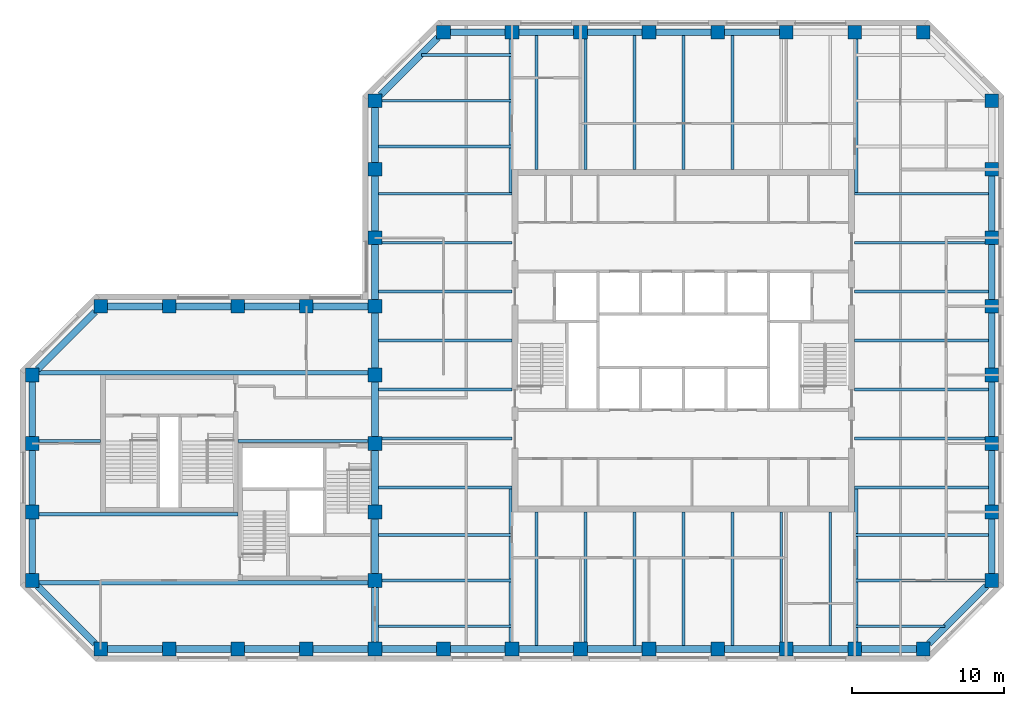
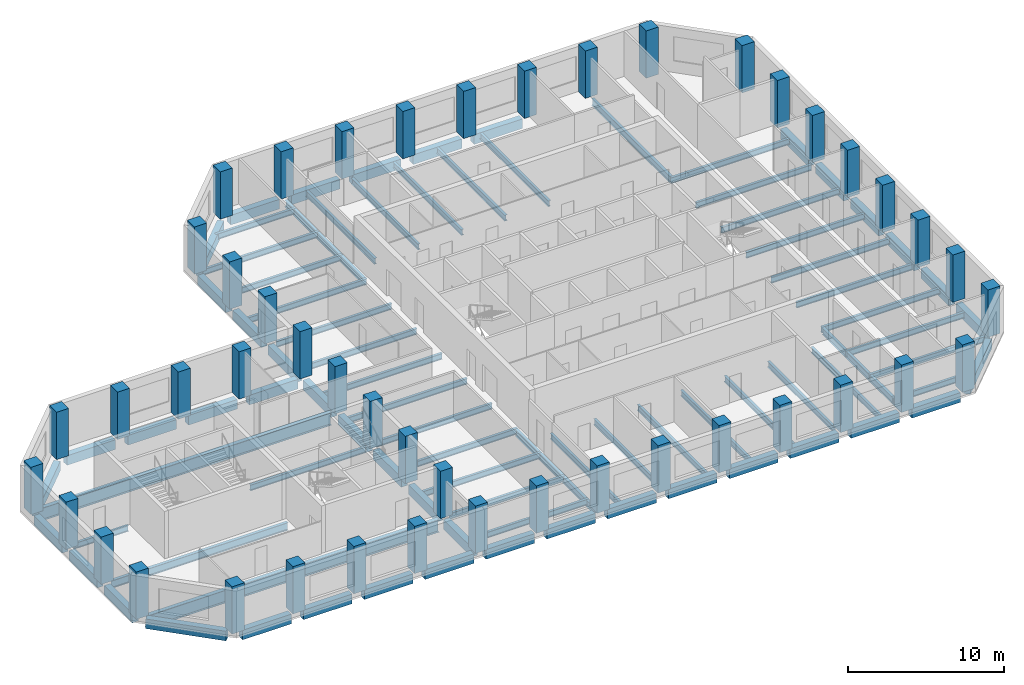
# One storey, part 1 of 9: 86 beams, 45 columns.
"""IFC4 building model written with IfcOpenShell, lengths in metres."""

from ifc_helpers import new_model, si_unit, direction, frame, origin, origin_2d, place, context, subcontext, project, spatial, rectangle, i_section, extrude, material, material_profile, profile_set, type_object, element, save


model = new_model("IFC4")

# Units and contexts
model_context = context("Model", 3, precision=1e-05, world=origin(), true_north=direction((0.0, 1.0)))
body_context = subcontext(model_context, "Body", "Model", "MODEL_VIEW")
ifc_project = project(units=[si_unit("LENGTHUNIT", "METRE"), si_unit("AREAUNIT", "SQUARE_METRE"), si_unit("VOLUMEUNIT", "CUBIC_METRE"), si_unit("PLANEANGLEUNIT", "RADIAN"), si_unit("MASSUNIT", "GRAM", prefix="KILO")], contexts=[model_context])

# Site, building, storey
site_placement = place(None, origin())
site = spatial("IfcSite", under=ifc_project, at=site_placement, CompositionType="ELEMENT")
building_placement = place(site_placement, origin())
building = spatial("IfcBuilding", under=site, at=building_placement, Name="Quoin Convention Tower", CompositionType="ELEMENT")
storey_placement = place(building_placement, frame((0.0, 0.0, 177.300048828125)))
storey = spatial("IfcBuildingStorey", under=building, at=storey_placement, Name="L46", CompositionType="ELEMENT", Elevation=177.300048828125)

# Columns
ifc_material_1 = material(Name="Concrete C50", Category="concrete")
ifc_material_profile_1 = material_profile(ifc_material_1, rectangle(XDim=0.89990234375, YDim=0.89990234375, at=origin_2d()), Name="RC 900x900")
ifc_profile_set_1 = profile_set([ifc_material_profile_1], Name="Concrete C50")
column_type = type_object("IfcColumnType", Name="RC 900x900 C50", PredefinedType="COLUMN", material=ifc_profile_set_1)
for number, where, z_axis, x_axis, name in (
    (1, (18.0, 40.5, 0.0), (0.0, 0.0, 1.0), (1.0, 0.0, 0.0), "col-L46-18000_40500"),
    (2, (22.5, 40.5, 0.0), (0.0, 0.0, 1.0), (1.0, 0.0, 0.0), "col-L46-22500_40500"),
    (3, (27.0, 40.5, 0.0), (0.0, 0.0, 1.0), (1.0, 0.0, 0.0), "col-L46-27000_40500"),
    (4, (31.5, 40.5, 0.0), (0.0, 0.0, 1.0), (1.0, 0.0, 0.0), "col-L46-31500_40500"),
    (5, (36.0, 40.5, 0.0), (0.0, 0.0, 1.0), (1.0, 0.0, 0.0), "col-L46-36000_40500"),
    (6, (40.5, 40.5, 0.0), (0.0, 0.0, 1.0), (1.0, 0.0, 0.0), "col-L46-40500_40500"),
    (7, (45.0, 40.5, 0.0), (0.0, 0.0, 1.0), (1.0, 0.0, 0.0), "col-L46-45000_40500"),
    (8, (49.5, 40.5, 0.0), (0.0, 0.0, 1.0), (1.0, 0.0, 0.0), "col-L46-49500_40500"),
    (9, (54.0, 40.5, 0.0), (0.0, 0.0, 1.0), (1.0, 0.0, 0.0), "col-L46-54000_40500"),
    (10, (58.5, 40.5, 0.0), (0.0, 0.0, 1.0), (1.0, 0.0, 0.0), "col-L46-58500_40500"),
    (11, (63.0, 40.5, 0.0), (0.0, 0.0, 1.0), (1.0, 0.0, 0.0), "col-L46-63000_40500"),
    (12, (67.5, 40.5, 0.0), (0.0, 0.0, 1.0), (1.0, 0.0, 0.0), "col-L46-67500_40500"),
    (13, (72.0, 40.5, 0.0), (0.0, 0.0, 1.0), (1.0, 0.0, 0.0), "col-L46-72000_40500"),
    (14, (13.5, 45.0, 0.0), (0.0, 0.0, 1.0), (1.0, 0.0, 0.0), "col-L46-13500_45000"),
    (15, (36.0, 45.0, 0.0), (0.0, 0.0, 1.0), (1.0, 0.0, 0.0), "web-L46-36000_45000"),
    (16, (76.5, 45.0, 0.0), (0.0, 0.0, 1.0), (1.0, 0.0, 0.0), "col-L46-76500_45000"),
    (17, (13.5, 49.5, 0.0), (0.0, 0.0, 1.0), (1.0, 0.0, 0.0), "col-L46-13500_49500"),
    (18, (36.0, 49.5, 0.0), (0.0, 0.0, 1.0), (1.0, 0.0, 0.0), "web-L46-36000_49500"),
    (19, (76.5, 49.5, 0.0), (0.0, 0.0, 1.0), (1.0, 0.0, 0.0), "col-L46-76500_49500"),
    (20, (13.5, 54.0, 0.0), (0.0, 0.0, 1.0), (1.0, 0.0, 0.0), "col-L46-13500_54000"),
    (21, (36.0, 54.0, 0.0), (0.0, 0.0, 1.0), (1.0, 0.0, 0.0), "web-L46-36000_54000"),
    (22, (76.5, 54.0, 0.0), (0.0, 0.0, 1.0), (1.0, 0.0, 0.0), "col-L46-76500_54000"),
    (23, (13.5, 58.5, 0.0), (0.0, 0.0, 1.0), (1.0, 0.0, 0.0), "col-L46-13500_58500"),
    (24, (36.0, 58.5, 0.0), (0.0, 0.0, 1.0), (1.0, 0.0, 0.0), "web-L46-36000_58500"),
    (25, (76.5, 58.5, 0.0), (0.0, 0.0, 1.0), (1.0, 0.0, 0.0), "col-L46-76500_58500"),
    (26, (18.0, 63.0, 0.0), (0.0, 0.0, 1.0), (1.0, 0.0, 0.0), "col-L46-18000_63000"),
    (27, (22.5, 63.0, 0.0), (0.0, 0.0, 1.0), (1.0, 0.0, 0.0), "col-L46-22500_63000"),
    (28, (27.0, 63.0, 0.0), (0.0, 0.0, 1.0), (1.0, 0.0, 0.0), "col-L46-27000_63000"),
    (29, (31.5, 63.0, 0.0), (0.0, 0.0, 1.0), (1.0, 0.0, 0.0), "col-L46-31500_63000"),
    (30, (36.0, 63.0, 0.0), (0.0, 0.0, 1.0), (1.0, 0.0, 0.0), "col-L46-36000_63000"),
    (31, (76.5, 63.0, 0.0), (0.0, 0.0, 1.0), (1.0, 0.0, 0.0), "col-L46-76500_63000"),
    (32, (36.0, 67.5, 0.0), (0.0, 0.0, 1.0), (1.0, 0.0, 0.0), "col-L46-36000_67500"),
    (33, (76.5, 67.5, 0.0), (0.0, 0.0, 1.0), (1.0, 0.0, 0.0), "col-L46-76500_67500"),
    (34, (36.0, 72.0, 0.0), (0.0, 0.0, 1.0), (1.0, 0.0, 0.0), "col-L46-36000_72000"),
    (35, (76.5, 72.0, 0.0), (0.0, 0.0, 1.0), (1.0, 0.0, 0.0), "col-L46-76500_72000"),
    (36, (36.0, 76.5, 0.0), (0.0, 0.0, 1.0), (1.0, 0.0, 0.0), "col-L46-36000_76500"),
    (37, (76.5, 76.5, 0.0), (0.0, 0.0, 1.0), (1.0, 0.0, 0.0), "col-L46-76500_76500"),
    (38, (40.5, 81.0, 0.0), (0.0, 0.0, 1.0), (1.0, 0.0, 0.0), "col-L46-40500_81000"),
    (39, (45.0, 81.0, 0.0), (0.0, 0.0, 1.0), (1.0, 0.0, 0.0), "col-L46-45000_81000"),
    (40, (49.5, 81.0, 0.0), (0.0, 0.0, 1.0), (1.0, 0.0, 0.0), "col-L46-49500_81000"),
    (41, (54.0, 81.0, 0.0), (0.0, 0.0, 1.0), (1.0, 0.0, 0.0), "col-L46-54000_81000"),
    (42, (58.5, 81.0, 0.0), (0.0, 0.0, 1.0), (1.0, 0.0, 0.0), "col-L46-58500_81000"),
    (43, (63.0, 81.0, 0.0), (0.0, 0.0, 1.0), (1.0, 0.0, 0.0), "col-L46-63000_81000"),
    (44, (67.5, 81.0, 0.0), (0.0, 0.0, 1.0), (1.0, 0.0, 0.0), "col-L46-67500_81000"),
    (45, (72.0, 81.0, 0.0), (0.0, 0.0, 1.0), (1.0, 0.0, 0.0), "col-L46-72000_81000"),
):
    element("IfcColumn", number, at=place(storey_placement, frame(where, z_axis=z_axis, x_axis=x_axis)), inside=storey, type_object=column_type, Name=name, PredefinedType="COLUMN", context=body_context, shape_type="SweptSolid", body=[
        extrude(rectangle(XDim=0.89990234375, YDim=0.89990234375, at=origin_2d()), origin(), (0.0, 0.0, 1.0), 3.699951171875),
    ])

# Beams
ifc_material_2 = material(Name="Steel Grade 300", Category="steel")
ifc_material_profile_2 = material_profile(ifc_material_2, i_section(OverallWidth=0.300048828125, OverallDepth=1.0, WebThickness=0.01611328125, FlangeThickness=0.02001953125, at=origin_2d()), Name="1000WB215")
ifc_profile_set_2 = profile_set([ifc_material_profile_2], Name="Steel Grade 300")
beam_type_1 = type_object("IfcBeamType", Name="1000WB215", PredefinedType="BEAM", material=ifc_profile_set_2)
for number, where, z_axis, x_axis, name in (
    (46, (13.949951171875, 44.85009765625, -0.650146484375), (1.0, 0.0, 0.0), (0.0, 1.0, 0.0), "gir-L46-ST2-1-0"),
    (47, (13.949951171875, 58.64990234375, -0.650146484375), (1.0, 0.0, 0.0), (0.0, 1.0, 0.0), "gir-L46-ST2-4-0"),
):
    element("IfcBeam", number, at=place(storey_placement, frame(where, z_axis=z_axis, x_axis=x_axis)), inside=storey, type_object=beam_type_1, Name=name, PredefinedType="BEAM", context=body_context, shape_type="SweptSolid", body=[
        extrude(i_section(OverallWidth=0.300048828125, OverallDepth=1.0, WebThickness=0.01611328125, FlangeThickness=0.02001953125, at=origin_2d()), origin(), (0.0, 0.0, 1.0), 21.60009765625),
    ])
ifc_material_profile_3 = material_profile(ifc_material_2, i_section(OverallWidth=0.18994140625, OverallDepth=0.4541015625, WebThickness=0.008544921875, FlangeThickness=0.0126953125, FilletRadius=0.011474609375, at=origin_2d()), Name="460UB67.1")
ifc_profile_set_3 = profile_set([ifc_material_profile_3], Name="Steel Grade 300")
beam_type_2 = type_object("IfcBeamType", Name="460UB67.1", PredefinedType="BEAM", material=ifc_profile_set_3)
beam_1_placement = place(storey_placement, frame((36.22509765625, 51.107177734375, -0.376953125), z_axis=(1.0, 0.0, 0.0), x_axis=(0.0, 1.0, 0.0)))
element("IfcBeam", 48, at=beam_1_placement, inside=storey, type_object=beam_type_2, Name="bm-L46-T1W0", PredefinedType="BEAM", context=body_context, shape_type="SweptSolid", body=[
    extrude(i_section(OverallWidth=0.18994140625, OverallDepth=0.4541015625, WebThickness=0.008544921875, FlangeThickness=0.0126953125, FilletRadius=0.011474609375, at=origin_2d()), origin(), (0.0, 0.0, 1.0), 8.77490234375),
])
beam_2_placement = place(storey_placement, frame((36.449951171875, 54.3212890625, -0.376953125), z_axis=(1.0, 0.0, 0.0), x_axis=(0.0, 1.0, 0.0)))
element("IfcBeam", 49, at=beam_2_placement, inside=storey, type_object=beam_type_2, Name="bm-L46-T1W1", PredefinedType="BEAM", context=body_context, shape_type="SweptSolid", body=[
    extrude(i_section(OverallWidth=0.18994140625, OverallDepth=0.4541015625, WebThickness=0.008544921875, FlangeThickness=0.0126953125, FilletRadius=0.011474609375, at=origin_2d()), origin(), (0.0, 0.0, 1.0), 8.550048828125),
])
for number, where, z_axis, x_axis, name in (
    (50, (36.22509765625, 57.53564453125, -0.376953125), (1.0, 0.0, 0.0), (0.0, 1.0, 0.0), "bm-L46-T1W2"),
    (51, (36.22509765625, 60.75, -0.376953125), (1.0, 0.0, 0.0), (0.0, 1.0, 0.0), "bm-L46-T1W3"),
    (52, (36.22509765625, 63.96435546875, -0.376953125), (1.0, 0.0, 0.0), (0.0, 1.0, 0.0), "bm-L46-T1W4"),
):
    element("IfcBeam", number, at=place(storey_placement, frame(where, z_axis=z_axis, x_axis=x_axis)), inside=storey, type_object=beam_type_2, Name=name, PredefinedType="BEAM", context=body_context, shape_type="SweptSolid", body=[
        extrude(i_section(OverallWidth=0.18994140625, OverallDepth=0.4541015625, WebThickness=0.008544921875, FlangeThickness=0.0126953125, FilletRadius=0.011474609375, at=origin_2d()), origin(), (0.0, 0.0, 1.0), 8.77490234375),
    ])
beam_3_placement = place(storey_placement, frame((36.449951171875, 67.1787109375, -0.376953125), z_axis=(1.0, 0.0, 0.0), x_axis=(0.0, 1.0, 0.0)))
element("IfcBeam", 53, at=beam_3_placement, inside=storey, type_object=beam_type_2, Name="bm-L46-T1W5", PredefinedType="BEAM", context=body_context, shape_type="SweptSolid", body=[
    extrude(i_section(OverallWidth=0.18994140625, OverallDepth=0.4541015625, WebThickness=0.008544921875, FlangeThickness=0.0126953125, FilletRadius=0.011474609375, at=origin_2d()), origin(), (0.0, 0.0, 1.0), 8.550048828125),
])
for number, where, z_axis, x_axis, name in (
    (54, (36.22509765625, 70.392822265625, -0.376953125), (1.0, 0.0, 0.0), (0.0, 1.0, 0.0), "bm-L46-T1W6"),
    (55, (67.5, 51.107177734375, -0.376953125), (1.0, 0.0, 0.0), (0.0, 1.0, 0.0), "bm-L46-T1E0"),
):
    element("IfcBeam", number, at=place(storey_placement, frame(where, z_axis=z_axis, x_axis=x_axis)), inside=storey, type_object=beam_type_2, Name=name, PredefinedType="BEAM", context=body_context, shape_type="SweptSolid", body=[
        extrude(i_section(OverallWidth=0.18994140625, OverallDepth=0.4541015625, WebThickness=0.008544921875, FlangeThickness=0.0126953125, FilletRadius=0.011474609375, at=origin_2d()), origin(), (0.0, 0.0, 1.0), 8.77490234375),
    ])
beam_4_placement = place(storey_placement, frame((67.5, 54.3212890625, -0.376953125), z_axis=(1.0, 0.0, 0.0), x_axis=(0.0, 1.0, 0.0)))
element("IfcBeam", 56, at=beam_4_placement, inside=storey, type_object=beam_type_2, Name="bm-L46-T1E1", PredefinedType="BEAM", context=body_context, shape_type="SweptSolid", body=[
    extrude(i_section(OverallWidth=0.18994140625, OverallDepth=0.4541015625, WebThickness=0.008544921875, FlangeThickness=0.0126953125, FilletRadius=0.011474609375, at=origin_2d()), origin(), (0.0, 0.0, 1.0), 8.550048828125),
])
for number, where, z_axis, x_axis, name in (
    (57, (67.5, 57.53564453125, -0.376953125), (1.0, 0.0, 0.0), (0.0, 1.0, 0.0), "bm-L46-T1E2"),
    (58, (67.5, 60.75, -0.376953125), (1.0, 0.0, 0.0), (0.0, 1.0, 0.0), "bm-L46-T1E3"),
    (59, (67.5, 63.96435546875, -0.376953125), (1.0, 0.0, 0.0), (0.0, 1.0, 0.0), "bm-L46-T1E4"),
):
    element("IfcBeam", number, at=place(storey_placement, frame(where, z_axis=z_axis, x_axis=x_axis)), inside=storey, type_object=beam_type_2, Name=name, PredefinedType="BEAM", context=body_context, shape_type="SweptSolid", body=[
        extrude(i_section(OverallWidth=0.18994140625, OverallDepth=0.4541015625, WebThickness=0.008544921875, FlangeThickness=0.0126953125, FilletRadius=0.011474609375, at=origin_2d()), origin(), (0.0, 0.0, 1.0), 8.77490234375),
    ])
beam_5_placement = place(storey_placement, frame((67.5, 67.1787109375, -0.376953125), z_axis=(1.0, 0.0, 0.0), x_axis=(0.0, 1.0, 0.0)))
element("IfcBeam", 60, at=beam_5_placement, inside=storey, type_object=beam_type_2, Name="bm-L46-T1E5", PredefinedType="BEAM", context=body_context, shape_type="SweptSolid", body=[
    extrude(i_section(OverallWidth=0.18994140625, OverallDepth=0.4541015625, WebThickness=0.008544921875, FlangeThickness=0.0126953125, FilletRadius=0.011474609375, at=origin_2d()), origin(), (0.0, 0.0, 1.0), 8.550048828125),
])
for number, where, z_axis, x_axis, name in (
    (61, (67.5, 70.392822265625, -0.376953125), (1.0, 0.0, 0.0), (0.0, 1.0, 0.0), "bm-L46-T1E6"),
    (62, (46.607177734375, 40.72509765625, -0.376953125), (0.0, 1.0, 0.0), (-1.0, 0.0, 0.0), "bm-L46-T1S0"),
):
    element("IfcBeam", number, at=place(storey_placement, frame(where, z_axis=z_axis, x_axis=x_axis)), inside=storey, type_object=beam_type_2, Name=name, PredefinedType="BEAM", context=body_context, shape_type="SweptSolid", body=[
        extrude(i_section(OverallWidth=0.18994140625, OverallDepth=0.4541015625, WebThickness=0.008544921875, FlangeThickness=0.0126953125, FilletRadius=0.011474609375, at=origin_2d()), origin(), (0.0, 0.0, 1.0), 8.77490234375),
    ])
beam_6_placement = place(storey_placement, frame((49.8212890625, 40.949951171875, -0.376953125), z_axis=(0.0, 1.0, 0.0), x_axis=(-1.0, 0.0, 0.0)))
element("IfcBeam", 63, at=beam_6_placement, inside=storey, type_object=beam_type_2, Name="bm-L46-T1S1", PredefinedType="BEAM", context=body_context, shape_type="SweptSolid", body=[
    extrude(i_section(OverallWidth=0.18994140625, OverallDepth=0.4541015625, WebThickness=0.008544921875, FlangeThickness=0.0126953125, FilletRadius=0.011474609375, at=origin_2d()), origin(), (0.0, 0.0, 1.0), 8.550048828125),
])
for number, where, z_axis, x_axis, name in (
    (64, (53.03564453125, 40.72509765625, -0.376953125), (0.0, 1.0, 0.0), (-1.0, 0.0, 0.0), "bm-L46-T1S2"),
    (65, (56.25, 40.72509765625, -0.376953125), (0.0, 1.0, 0.0), (-1.0, 0.0, 0.0), "bm-L46-T1S3"),
    (66, (59.46435546875, 40.72509765625, -0.376953125), (0.0, 1.0, 0.0), (-1.0, 0.0, 0.0), "bm-L46-T1S4"),
):
    element("IfcBeam", number, at=place(storey_placement, frame(where, z_axis=z_axis, x_axis=x_axis)), inside=storey, type_object=beam_type_2, Name=name, PredefinedType="BEAM", context=body_context, shape_type="SweptSolid", body=[
        extrude(i_section(OverallWidth=0.18994140625, OverallDepth=0.4541015625, WebThickness=0.008544921875, FlangeThickness=0.0126953125, FilletRadius=0.011474609375, at=origin_2d()), origin(), (0.0, 0.0, 1.0), 8.77490234375),
    ])
beam_7_placement = place(storey_placement, frame((62.6787109375, 40.949951171875, -0.376953125), z_axis=(0.0, 1.0, 0.0), x_axis=(-1.0, 0.0, 0.0)))
element("IfcBeam", 67, at=beam_7_placement, inside=storey, type_object=beam_type_2, Name="bm-L46-T1S5", PredefinedType="BEAM", context=body_context, shape_type="SweptSolid", body=[
    extrude(i_section(OverallWidth=0.18994140625, OverallDepth=0.4541015625, WebThickness=0.008544921875, FlangeThickness=0.0126953125, FilletRadius=0.011474609375, at=origin_2d()), origin(), (0.0, 0.0, 1.0), 8.550048828125),
])
for number, where, z_axis, x_axis, name in (
    (68, (65.892822265625, 40.72509765625, -0.376953125), (0.0, 1.0, 0.0), (-1.0, 0.0, 0.0), "bm-L46-T1S6"),
    (69, (46.607177734375, 72.0, -0.376953125), (0.0, 1.0, 0.0), (-1.0, 0.0, 0.0), "bm-L46-T1N0"),
):
    element("IfcBeam", number, at=place(storey_placement, frame(where, z_axis=z_axis, x_axis=x_axis)), inside=storey, type_object=beam_type_2, Name=name, PredefinedType="BEAM", context=body_context, shape_type="SweptSolid", body=[
        extrude(i_section(OverallWidth=0.18994140625, OverallDepth=0.4541015625, WebThickness=0.008544921875, FlangeThickness=0.0126953125, FilletRadius=0.011474609375, at=origin_2d()), origin(), (0.0, 0.0, 1.0), 8.77490234375),
    ])
beam_8_placement = place(storey_placement, frame((49.8212890625, 72.0, -0.376953125), z_axis=(0.0, 1.0, 0.0), x_axis=(-1.0, 0.0, 0.0)))
element("IfcBeam", 70, at=beam_8_placement, inside=storey, type_object=beam_type_2, Name="bm-L46-T1N1", PredefinedType="BEAM", context=body_context, shape_type="SweptSolid", body=[
    extrude(i_section(OverallWidth=0.18994140625, OverallDepth=0.4541015625, WebThickness=0.008544921875, FlangeThickness=0.0126953125, FilletRadius=0.011474609375, at=origin_2d()), origin(), (0.0, 0.0, 1.0), 8.550048828125),
])
for number, where, z_axis, x_axis, name in (
    (71, (53.03564453125, 72.0, -0.376953125), (0.0, 1.0, 0.0), (-1.0, 0.0, 0.0), "bm-L46-T1N2"),
    (72, (56.25, 72.0, -0.376953125), (0.0, 1.0, 0.0), (-1.0, 0.0, 0.0), "bm-L46-T1N3"),
    (73, (59.46435546875, 72.0, -0.376953125), (0.0, 1.0, 0.0), (-1.0, 0.0, 0.0), "bm-L46-T1N4"),
    (74, (36.22509765625, 42.0, -0.376953125), (1.0, 0.0, 0.0), (0.0, 1.0, 0.0), "bm-L46-T1SW0"),
):
    element("IfcBeam", number, at=place(storey_placement, frame(where, z_axis=z_axis, x_axis=x_axis)), inside=storey, type_object=beam_type_2, Name=name, PredefinedType="BEAM", context=body_context, shape_type="SweptSolid", body=[
        extrude(i_section(OverallWidth=0.18994140625, OverallDepth=0.4541015625, WebThickness=0.008544921875, FlangeThickness=0.0126953125, FilletRadius=0.011474609375, at=origin_2d()), origin(), (0.0, 0.0, 1.0), 8.77490234375),
    ])
beam_9_placement = place(storey_placement, frame((36.449951171875, 45.0, -0.376953125), z_axis=(1.0, 0.0, 0.0), x_axis=(0.0, 1.0, 0.0)))
element("IfcBeam", 75, at=beam_9_placement, inside=storey, type_object=beam_type_2, Name="bm-L46-T1SW1", PredefinedType="BEAM", context=body_context, shape_type="SweptSolid", body=[
    extrude(i_section(OverallWidth=0.18994140625, OverallDepth=0.4541015625, WebThickness=0.008544921875, FlangeThickness=0.0126953125, FilletRadius=0.011474609375, at=origin_2d()), origin(), (0.0, 0.0, 1.0), 8.550048828125),
])
beam_10_placement = place(storey_placement, frame((36.22509765625, 48.0, -0.376953125), z_axis=(1.0, 0.0, 0.0), x_axis=(0.0, 1.0, 0.0)))
element("IfcBeam", 76, at=beam_10_placement, inside=storey, type_object=beam_type_2, Name="bm-L46-T1SW2", PredefinedType="BEAM", context=body_context, shape_type="SweptSolid", body=[
    extrude(i_section(OverallWidth=0.18994140625, OverallDepth=0.4541015625, WebThickness=0.008544921875, FlangeThickness=0.0126953125, FilletRadius=0.011474609375, at=origin_2d()), origin(), (0.0, 0.0, 1.0), 8.77490234375),
])
beam_11_placement = place(storey_placement, frame((67.5, 42.0, -0.376953125), z_axis=(1.0, 0.0, 0.0), x_axis=(0.0, 1.0, 0.0)))
element("IfcBeam", 77, at=beam_11_placement, inside=storey, type_object=beam_type_2, Name="bm-L46-T1SE0", PredefinedType="BEAM", context=body_context, shape_type="SweptSolid", body=[
    extrude(i_section(OverallWidth=0.18994140625, OverallDepth=0.4541015625, WebThickness=0.008544921875, FlangeThickness=0.0126953125, FilletRadius=0.011474609375, at=origin_2d()), origin(), (0.0, 0.0, 1.0), 5.935791015625),
])
beam_12_placement = place(storey_placement, frame((67.5, 45.0, -0.376953125), z_axis=(1.0, 0.0, 0.0), x_axis=(0.0, 1.0, 0.0)))
element("IfcBeam", 78, at=beam_12_placement, inside=storey, type_object=beam_type_2, Name="bm-L46-T1SE1", PredefinedType="BEAM", context=body_context, shape_type="SweptSolid", body=[
    extrude(i_section(OverallWidth=0.18994140625, OverallDepth=0.4541015625, WebThickness=0.008544921875, FlangeThickness=0.0126953125, FilletRadius=0.011474609375, at=origin_2d()), origin(), (0.0, 0.0, 1.0), 8.550048828125),
])
beam_13_placement = place(storey_placement, frame((67.5, 48.0, -0.376953125), z_axis=(1.0, 0.0, 0.0), x_axis=(0.0, 1.0, 0.0)))
element("IfcBeam", 79, at=beam_13_placement, inside=storey, type_object=beam_type_2, Name="bm-L46-T1SE2", PredefinedType="BEAM", context=body_context, shape_type="SweptSolid", body=[
    extrude(i_section(OverallWidth=0.18994140625, OverallDepth=0.4541015625, WebThickness=0.008544921875, FlangeThickness=0.0126953125, FilletRadius=0.011474609375, at=origin_2d()), origin(), (0.0, 0.0, 1.0), 8.77490234375),
])
beam_14_placement = place(storey_placement, frame((39.064208984375, 79.5, -0.376953125), z_axis=(1.0, 0.0, 0.0), x_axis=(0.0, 1.0, 0.0)))
element("IfcBeam", 80, at=beam_14_placement, inside=storey, type_object=beam_type_2, Name="bm-L46-T1NW0", PredefinedType="BEAM", context=body_context, shape_type="SweptSolid", body=[
    extrude(i_section(OverallWidth=0.18994140625, OverallDepth=0.4541015625, WebThickness=0.008544921875, FlangeThickness=0.0126953125, FilletRadius=0.011474609375, at=origin_2d()), origin(), (0.0, 0.0, 1.0), 5.935791015625),
])
beam_15_placement = place(storey_placement, frame((36.449951171875, 76.5, -0.376953125), z_axis=(1.0, 0.0, 0.0), x_axis=(0.0, 1.0, 0.0)))
element("IfcBeam", 81, at=beam_15_placement, inside=storey, type_object=beam_type_2, Name="bm-L46-T1NW1", PredefinedType="BEAM", context=body_context, shape_type="SweptSolid", body=[
    extrude(i_section(OverallWidth=0.18994140625, OverallDepth=0.4541015625, WebThickness=0.008544921875, FlangeThickness=0.0126953125, FilletRadius=0.011474609375, at=origin_2d()), origin(), (0.0, 0.0, 1.0), 8.550048828125),
])
beam_16_placement = place(storey_placement, frame((36.22509765625, 73.5, -0.376953125), z_axis=(1.0, 0.0, 0.0), x_axis=(0.0, 1.0, 0.0)))
element("IfcBeam", 82, at=beam_16_placement, inside=storey, type_object=beam_type_2, Name="bm-L46-T1NW2", PredefinedType="BEAM", context=body_context, shape_type="SweptSolid", body=[
    extrude(i_section(OverallWidth=0.18994140625, OverallDepth=0.4541015625, WebThickness=0.008544921875, FlangeThickness=0.0126953125, FilletRadius=0.011474609375, at=origin_2d()), origin(), (0.0, 0.0, 1.0), 8.77490234375),
])
beam_17_placement = place(storey_placement, frame((13.949951171875, 54.14990234375, -0.376953125), z_axis=(1.0, 0.0, 0.0), x_axis=(0.0, 1.0, 0.0)))
element("IfcBeam", 83, at=beam_17_placement, inside=storey, type_object=beam_type_2, Name="gir-L46-ST2-3-0", PredefinedType="BEAM", context=body_context, shape_type="SweptSolid", body=[
    extrude(i_section(OverallWidth=0.18994140625, OverallDepth=0.4541015625, WebThickness=0.008544921875, FlangeThickness=0.0126953125, FilletRadius=0.011474609375, at=origin_2d()), origin(), (0.0, 0.0, 1.0), 4.050048828125),
])
beam_18_placement = place(storey_placement, frame((27.0, 54.14990234375, -0.376953125), z_axis=(1.0, 0.0, 0.0), x_axis=(0.0, 1.0, 0.0)))
element("IfcBeam", 84, at=beam_18_placement, inside=storey, type_object=beam_type_2, Name="gir-L46-ST2-3-1", PredefinedType="BEAM", context=body_context, shape_type="SweptSolid", body=[
    extrude(i_section(OverallWidth=0.18994140625, OverallDepth=0.4541015625, WebThickness=0.008544921875, FlangeThickness=0.0126953125, FilletRadius=0.011474609375, at=origin_2d()), origin(), (0.0, 0.0, 1.0), 8.550048828125),
])
ifc_material_profile_4 = material_profile(ifc_material_2, i_section(OverallWidth=0.208984375, OverallDepth=0.528076171875, WebThickness=0.009521484375, FlangeThickness=0.01318359375, FilletRadius=0.013916015625, at=origin_2d()), Name="530UB82.0")
ifc_profile_set_4 = profile_set([ifc_material_profile_4], Name="Steel Grade 300")
beam_type_3 = type_object("IfcBeamType", Name="530UB82.0", PredefinedType="BEAM", material=ifc_profile_set_4)
for number, where, z_axis, x_axis, name in (
    (85, (44.904541015625, 40.949951171875, -0.4140625), (0.0, 1.0, 0.0), (-1.0, 0.0, 0.0), "gir-L46-T1SW"),
    (86, (67.595458984375, 40.949951171875, -0.4140625), (0.0, 1.0, 0.0), (-1.0, 0.0, 0.0), "gir-L46-T1SE"),
    (87, (44.904541015625, 80.550048828125, -0.4140625), (0.0, -1.0, 0.0), (1.0, 0.0, 0.0), "gir-L46-T1NW"),
    (88, (67.595458984375, 80.550048828125, -0.4140625), (0.0, -1.0, 0.0), (1.0, 0.0, 0.0), "gir-L46-T1NE"),
):
    element("IfcBeam", number, at=place(storey_placement, frame(where, z_axis=z_axis, x_axis=x_axis)), inside=storey, type_object=beam_type_3, Name=name, PredefinedType="BEAM", context=body_context, shape_type="SweptSolid", body=[
        extrude(i_section(OverallWidth=0.208984375, OverallDepth=0.528076171875, WebThickness=0.009521484375, FlangeThickness=0.01318359375, FilletRadius=0.013916015625, at=origin_2d()), origin(), (0.0, 0.0, 1.0), 10.062255859375),
    ])
ifc_material_profile_5 = material_profile(ifc_material_2, i_section(OverallWidth=0.22802734375, OverallDepth=0.60205078125, WebThickness=0.010498046875, FlangeThickness=0.014892578125, FilletRadius=0.013916015625, at=origin_2d()), Name="610UB101")
ifc_profile_set_5 = profile_set([ifc_material_profile_5], Name="Steel Grade 300")
beam_type_4 = type_object("IfcBeamType", Name="610UB101", PredefinedType="BEAM", material=ifc_profile_set_5)
beam_19_placement = place(storey_placement, frame((13.949951171875, 49.35009765625, -0.450927734375), z_axis=(1.0, 0.0, 0.0), x_axis=(0.0, 1.0, 0.0)))
element("IfcBeam", 89, at=beam_19_placement, inside=storey, type_object=beam_type_4, Name="gir-L46-ST2-2-0", PredefinedType="BEAM", context=body_context, shape_type="SweptSolid", body=[
    extrude(i_section(OverallWidth=0.22802734375, OverallDepth=0.60205078125, WebThickness=0.010498046875, FlangeThickness=0.014892578125, FilletRadius=0.013916015625, at=origin_2d()), origin(), (0.0, 0.0, 1.0), 13.050048828125),
])
ifc_material_profile_6 = material_profile(ifc_material_1, rectangle(XDim=0.449951171875, YDim=0.75, at=origin_2d()), Name="RC 450x750")
ifc_profile_set_6 = profile_set([ifc_material_profile_6], Name="Concrete C50")
beam_type_5 = type_object("IfcBeamType", Name="RC 450x750 C50", PredefinedType="SPANDREL", material=ifc_profile_set_6)
for number, where, z_axis, x_axis, name in (
    (90, (36.449951171875, 40.5, -0.525146484375), (1.0, 0.0, 0.0), (0.0, 1.0, 0.0), "spd-L46-36000_40500-40500_40500"),
    (91, (40.949951171875, 40.5, -0.525146484375), (1.0, 0.0, 0.0), (0.0, 1.0, 0.0), "spd-L46-40500_40500-45000_40500"),
    (92, (45.449951171875, 40.5, -0.525146484375), (1.0, 0.0, 0.0), (0.0, 1.0, 0.0), "spd-L46-45000_40500-49500_40500"),
    (93, (49.949951171875, 40.5, -0.525146484375), (1.0, 0.0, 0.0), (0.0, 1.0, 0.0), "spd-L46-49500_40500-54000_40500"),
    (94, (54.449951171875, 40.5, -0.525146484375), (1.0, 0.0, 0.0), (0.0, 1.0, 0.0), "spd-L46-54000_40500-58500_40500"),
    (95, (58.949951171875, 40.5, -0.525146484375), (1.0, 0.0, 0.0), (0.0, 1.0, 0.0), "spd-L46-58500_40500-63000_40500"),
    (96, (63.449951171875, 40.5, -0.525146484375), (1.0, 0.0, 0.0), (0.0, 1.0, 0.0), "spd-L46-63000_40500-67500_40500"),
    (97, (67.949951171875, 40.5, -0.525146484375), (1.0, 0.0, 0.0), (0.0, 1.0, 0.0), "spd-L46-67500_40500-72000_40500"),
):
    element("IfcBeam", number, at=place(storey_placement, frame(where, z_axis=z_axis, x_axis=x_axis)), inside=storey, type_object=beam_type_5, Name=name, PredefinedType="SPANDREL", context=body_context, shape_type="SweptSolid", body=[
        extrude(rectangle(XDim=0.449951171875, YDim=0.75, at=origin_2d()), origin(), (0.0, 0.0, 1.0), 3.60009765625),
    ])
beam_20_placement = place(storey_placement, frame((72.364990234375, 40.864990234375, -0.525146484375), z_axis=(0.707106781187, 0.707106781187, 0.0), x_axis=(-0.707106781187, 0.707106781187, 0.0)))
element("IfcBeam", 98, at=beam_20_placement, inside=storey, type_object=beam_type_5, Name="spd-L46-72000_40500-76500_45000", PredefinedType="SPANDREL", context=body_context, shape_type="SweptSolid", body=[
    extrude(rectangle(XDim=0.449951171875, YDim=0.75, at=origin_2d()), origin(), (0.0, 0.0, 1.0), 5.33154296875),
])
for number, where, z_axis, x_axis, name in (
    (99, (76.5, 45.449951171875, -0.525146484375), (0.0, 1.0, 0.0), (-1.0, 0.0, 0.0), "spd-L46-76500_45000-76500_49500"),
    (100, (76.5, 49.949951171875, -0.525146484375), (0.0, 1.0, 0.0), (-1.0, 0.0, 0.0), "spd-L46-76500_49500-76500_54000"),
    (101, (76.5, 54.449951171875, -0.525146484375), (0.0, 1.0, 0.0), (-1.0, 0.0, 0.0), "spd-L46-76500_54000-76500_58500"),
    (102, (76.5, 58.949951171875, -0.525146484375), (0.0, 1.0, 0.0), (-1.0, 0.0, 0.0), "spd-L46-76500_58500-76500_63000"),
    (103, (76.5, 63.449951171875, -0.525146484375), (0.0, 1.0, 0.0), (-1.0, 0.0, 0.0), "spd-L46-76500_63000-76500_67500"),
    (104, (76.5, 67.949951171875, -0.525146484375), (0.0, 1.0, 0.0), (-1.0, 0.0, 0.0), "spd-L46-76500_67500-76500_72000"),
    (105, (62.550048828125, 81.0, -0.525146484375), (-1.0, 0.0, 0.0), (0.0, -1.0, 0.0), "spd-L46-63000_81000-58500_81000"),
    (106, (58.050048828125, 81.0, -0.525146484375), (-1.0, 0.0, 0.0), (0.0, -1.0, 0.0), "spd-L46-58500_81000-54000_81000"),
    (107, (53.550048828125, 81.0, -0.525146484375), (-1.0, 0.0, 0.0), (0.0, -1.0, 0.0), "spd-L46-54000_81000-49500_81000"),
    (108, (49.050048828125, 81.0, -0.525146484375), (-1.0, 0.0, 0.0), (0.0, -1.0, 0.0), "spd-L46-49500_81000-45000_81000"),
    (109, (44.550048828125, 81.0, -0.525146484375), (-1.0, 0.0, 0.0), (0.0, -1.0, 0.0), "spd-L46-45000_81000-40500_81000"),
):
    element("IfcBeam", number, at=place(storey_placement, frame(where, z_axis=z_axis, x_axis=x_axis)), inside=storey, type_object=beam_type_5, Name=name, PredefinedType="SPANDREL", context=body_context, shape_type="SweptSolid", body=[
        extrude(rectangle(XDim=0.449951171875, YDim=0.75, at=origin_2d()), origin(), (0.0, 0.0, 1.0), 3.60009765625),
    ])
beam_21_placement = place(storey_placement, frame((40.135009765625, 80.635009765625, -0.525146484375), z_axis=(-0.707106781187, -0.707106781187, 0.0), x_axis=(0.707106781187, -0.707106781187, 0.0)))
element("IfcBeam", 110, at=beam_21_placement, inside=storey, type_object=beam_type_5, Name="spd-L46-40500_81000-36000_76500", PredefinedType="SPANDREL", context=body_context, shape_type="SweptSolid", body=[
    extrude(rectangle(XDim=0.449951171875, YDim=0.75, at=origin_2d()), origin(), (0.0, 0.0, 1.0), 5.33154296875),
])
for number, where, z_axis, x_axis, name in (
    (111, (36.0, 76.050048828125, -0.525146484375), (0.0, -1.0, 0.0), (1.0, 0.0, 0.0), "spd-L46-36000_76500-36000_72000"),
    (112, (36.0, 71.550048828125, -0.525146484375), (0.0, -1.0, 0.0), (1.0, 0.0, 0.0), "spd-L46-36000_72000-36000_67500"),
    (113, (36.0, 67.050048828125, -0.525146484375), (0.0, -1.0, 0.0), (1.0, 0.0, 0.0), "spd-L46-36000_67500-36000_63000"),
    (114, (35.550048828125, 63.0, -0.525146484375), (-1.0, 0.0, 0.0), (0.0, -1.0, 0.0), "spd-L46-36000_63000-31500_63000"),
    (115, (31.050048828125, 63.0, -0.525146484375), (-1.0, 0.0, 0.0), (0.0, -1.0, 0.0), "spd-L46-31500_63000-27000_63000"),
    (116, (26.550048828125, 63.0, -0.525146484375), (-1.0, 0.0, 0.0), (0.0, -1.0, 0.0), "spd-L46-27000_63000-22500_63000"),
    (117, (22.050048828125, 63.0, -0.525146484375), (-1.0, 0.0, 0.0), (0.0, -1.0, 0.0), "spd-L46-22500_63000-18000_63000"),
):
    element("IfcBeam", number, at=place(storey_placement, frame(where, z_axis=z_axis, x_axis=x_axis)), inside=storey, type_object=beam_type_5, Name=name, PredefinedType="SPANDREL", context=body_context, shape_type="SweptSolid", body=[
        extrude(rectangle(XDim=0.449951171875, YDim=0.75, at=origin_2d()), origin(), (0.0, 0.0, 1.0), 3.60009765625),
    ])
beam_22_placement = place(storey_placement, frame((17.635009765625, 62.635009765625, -0.525146484375), z_axis=(-0.707106781187, -0.707106781187, 0.0), x_axis=(0.707106781187, -0.707106781187, 0.0)))
element("IfcBeam", 118, at=beam_22_placement, inside=storey, type_object=beam_type_5, Name="spd-L46-18000_63000-13500_58500", PredefinedType="SPANDREL", context=body_context, shape_type="SweptSolid", body=[
    extrude(rectangle(XDim=0.449951171875, YDim=0.75, at=origin_2d()), origin(), (0.0, 0.0, 1.0), 5.33154296875),
])
for number, where, z_axis, x_axis, name in (
    (119, (13.5, 58.050048828125, -0.525146484375), (0.0, -1.0, 0.0), (1.0, 0.0, 0.0), "spd-L46-13500_58500-13500_54000"),
    (120, (13.5, 53.550048828125, -0.525146484375), (0.0, -1.0, 0.0), (1.0, 0.0, 0.0), "spd-L46-13500_54000-13500_49500"),
    (121, (13.5, 49.050048828125, -0.525146484375), (0.0, -1.0, 0.0), (1.0, 0.0, 0.0), "spd-L46-13500_49500-13500_45000"),
):
    element("IfcBeam", number, at=place(storey_placement, frame(where, z_axis=z_axis, x_axis=x_axis)), inside=storey, type_object=beam_type_5, Name=name, PredefinedType="SPANDREL", context=body_context, shape_type="SweptSolid", body=[
        extrude(rectangle(XDim=0.449951171875, YDim=0.75, at=origin_2d()), origin(), (0.0, 0.0, 1.0), 3.60009765625),
    ])
beam_23_placement = place(storey_placement, frame((13.864990234375, 44.635009765625, -0.525146484375), z_axis=(0.707106781187, -0.707106781187, 0.0), x_axis=(0.707106781187, 0.707106781187, 0.0)))
element("IfcBeam", 122, at=beam_23_placement, inside=storey, type_object=beam_type_5, Name="spd-L46-13500_45000-18000_40500", PredefinedType="SPANDREL", context=body_context, shape_type="SweptSolid", body=[
    extrude(rectangle(XDim=0.449951171875, YDim=0.75, at=origin_2d()), origin(), (0.0, 0.0, 1.0), 5.33154296875),
])
for number, where, z_axis, x_axis, name in (
    (123, (18.449951171875, 40.5, -0.525146484375), (1.0, 0.0, 0.0), (0.0, 1.0, 0.0), "spd-L46-18000_40500-22500_40500"),
    (124, (22.949951171875, 40.5, -0.525146484375), (1.0, 0.0, 0.0), (0.0, 1.0, 0.0), "spd-L46-22500_40500-27000_40500"),
    (125, (27.449951171875, 40.5, -0.525146484375), (1.0, 0.0, 0.0), (0.0, 1.0, 0.0), "spd-L46-27000_40500-31500_40500"),
    (126, (31.949951171875, 40.5, -0.525146484375), (1.0, 0.0, 0.0), (0.0, 1.0, 0.0), "spd-L46-31500_40500-36000_40500"),
    (127, (36.0, 40.949951171875, -0.525146484375), (0.0, 1.0, 0.0), (-1.0, 0.0, 0.0), "spd-L46-36000_40500-36000_45000"),
    (128, (36.0, 45.449951171875, -0.525146484375), (0.0, 1.0, 0.0), (-1.0, 0.0, 0.0), "spd-L46-36000_45000-36000_49500"),
    (129, (36.0, 49.949951171875, -0.525146484375), (0.0, 1.0, 0.0), (-1.0, 0.0, 0.0), "spd-L46-36000_49500-36000_54000"),
    (130, (36.0, 54.449951171875, -0.525146484375), (0.0, 1.0, 0.0), (-1.0, 0.0, 0.0), "spd-L46-36000_54000-36000_58500"),
    (131, (36.0, 58.949951171875, -0.525146484375), (0.0, 1.0, 0.0), (-1.0, 0.0, 0.0), "spd-L46-36000_58500-36000_63000"),
):
    element("IfcBeam", number, at=place(storey_placement, frame(where, z_axis=z_axis, x_axis=x_axis)), inside=storey, type_object=beam_type_5, Name=name, PredefinedType="SPANDREL", context=body_context, shape_type="SweptSolid", body=[
        extrude(rectangle(XDim=0.449951171875, YDim=0.75, at=origin_2d()), origin(), (0.0, 0.0, 1.0), 3.60009765625),
    ])

save(model, "model.ifc")
